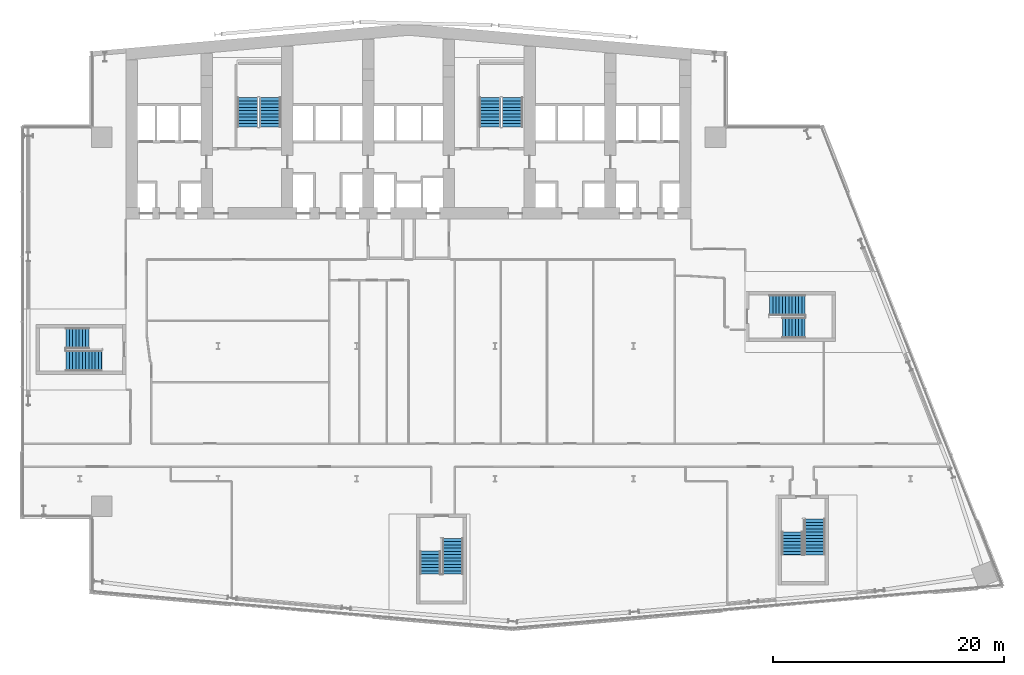
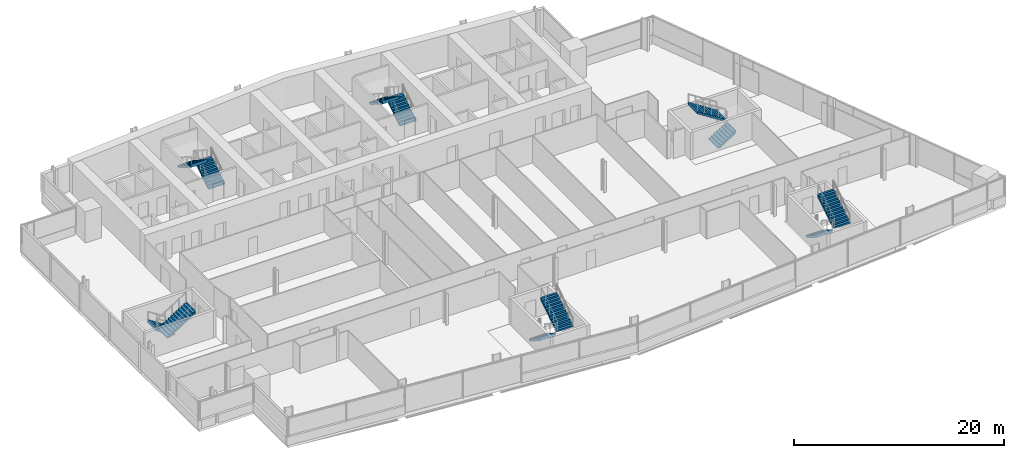
# One storey, part 21 of 25: 12 stair flights, 6 elements without a shape of their own.
"""IFC4 building model written with IfcOpenShell, lengths in metres."""

from ifc_helpers import new_model, si_unit, direction, frame, origin, place, context, subcontext, project, spatial, polyline, outline, extrude, material, type_object, element, aggregate, save


model = new_model("IFC4")

# Units and contexts
model_context = context("Model", 3, precision=1e-05, world=origin(), true_north=direction((0.0, 1.0)))
body_context = subcontext(model_context, "Body", "Model", "MODEL_VIEW")
ifc_project = project(units=[si_unit("LENGTHUNIT", "METRE"), si_unit("AREAUNIT", "SQUARE_METRE"), si_unit("VOLUMEUNIT", "CUBIC_METRE"), si_unit("PLANEANGLEUNIT", "RADIAN"), si_unit("MASSUNIT", "GRAM", prefix="KILO")], contexts=[model_context])

# Site, building, storey
site_placement = place(None, origin())
site = spatial("IfcSite", under=ifc_project, at=site_placement, CompositionType="ELEMENT")
building_placement = place(site_placement, origin())
building = spatial("IfcBuilding", under=site, at=building_placement, Name="Wharfspan Tower", CompositionType="ELEMENT")
storey_placement = place(building_placement, frame((0.0, 0.0, 143.5)))
storey = spatial("IfcBuildingStorey", under=building, at=storey_placement, Name="L34", CompositionType="ELEMENT", Elevation=143.5)

# Stair, stair flights
ifc_material = material(Name="Concrete C40/50", Category="concrete")
stair_type = type_object("IfcStairType", Name="Half-turn stair 20 risers 180 mm", PredefinedType="HALF_TURN_STAIR", material=ifc_material)
stair_1_placement = place(storey_placement, origin())
stair_1 = element("IfcStair", 1, at=stair_1_placement, inside=storey, type_object=stair_type, Name="L34 stair ST1", PredefinedType="HALF_TURN_STAIR")
stair_flight_type = type_object("IfcStairFlightType", Name="Stair flight 20 risers 180 mm", PredefinedType="STRAIGHT", material=ifc_material)
stair_flight_1_placement = place(storey_placement, frame((28.5, 42.0, 0.0), z_axis=(0.0, 0.0, 1.0), x_axis=(0.0, 1.0, 0.0)))
stair_flight_1 = element("IfcStairFlight", 2, at=stair_flight_1_placement, type_object=stair_flight_type, Name="ST1 flight 1", NumberOfRisers=10, NumberOfTreads=9, PredefinedType="STRAIGHT", RiserHeight=0.18, TreadLength=0.28, context=body_context, shape_type="SweptSolid", body=[
    extrude(outline(polyline([(-0.011963, 0.0), (-0.011963, 0.179932), (0.0, 0.179932), (0.280029, 0.179932), (0.280029, 0.360107), (0.560059, 0.360107), (0.560059, 0.540039), (0.840088, 0.540039), (0.840088, 0.719971), (1.120117, 0.719971), (1.120117, 0.899902), (1.399902, 0.899902), (1.399902, 1.080078), (1.679932, 1.080078), (1.679932, 1.26001), (1.959961, 1.26001), (1.959961, 1.439941), (2.23999, 1.439941), (2.23999, 1.620117), (2.52002, 1.620117), (2.531982, 1.800049), (2.531982, 1.441895), (0.2771, 0.0), (-0.011963, 0.0)])), frame((0.0, 0.899902, 0.0), z_axis=(0.0, -1.0, 0.0), x_axis=(1.0, 0.0, 0.0)), (0.0, 0.0, 1.0), 0.899414),
    extrude(outline(polyline([(-0.011963, 0.0), (-0.011963, 0.179932), (0.0, 0.179932), (0.280029, 0.179932), (0.280029, 0.360107), (0.560059, 0.360107), (0.560059, 0.540039), (0.840088, 0.540039), (0.840088, 0.719971), (1.120117, 0.719971), (1.120117, 0.899902), (1.399902, 0.899902), (1.399902, 1.080078), (1.679932, 1.080078), (1.679932, 1.26001), (1.959961, 1.26001), (1.959961, 1.439941), (2.23999, 1.439941), (2.23999, 1.620117), (2.52002, 1.620117), (2.531982, 1.800049), (2.531982, 1.441895), (0.2771, 0.0), (-0.011963, 0.0)])), frame((0.0, -0.000488, 0.0), z_axis=(0.0, -1.0, 0.0), x_axis=(1.0, 0.0, 0.0)), (0.0, 0.0, 1.0), 0.899414),
])
stair_flight_2_placement = place(storey_placement, frame((26.550049, 44.52002, 1.800049), z_axis=(0.0, 0.0, 1.0), x_axis=(0.0, -1.0, 0.0)))
stair_flight_2 = element("IfcStairFlight", 3, at=stair_flight_2_placement, type_object=stair_flight_type, Name="ST1 flight 2", NumberOfRisers=10, NumberOfTreads=9, PredefinedType="STRAIGHT", RiserHeight=0.18, TreadLength=0.28, context=body_context, shape_type="SweptSolid", body=[
    extrude(outline(polyline([(-0.011963, 0.0), (-0.011963, 0.179932), (0.0, 0.179932), (0.280029, 0.179932), (0.280029, 0.360107), (0.560059, 0.360107), (0.560059, 0.540039), (0.840088, 0.540039), (0.840088, 0.719971), (1.120117, 0.719971), (1.120117, 0.899902), (1.399902, 0.899902), (1.399902, 1.080078), (1.679932, 1.080078), (1.679932, 1.26001), (1.959961, 1.26001), (1.959961, 1.439941), (2.23999, 1.439941), (2.23999, 1.620117), (2.52002, 1.620117), (2.531982, 1.800049), (2.531982, 1.441895), (0.2771, 0.0), (-0.011963, 0.0)])), frame((0.0, 0.899902, 0.0), z_axis=(0.0, -1.0, 0.0), x_axis=(1.0, 0.0, 0.0)), (0.0, 0.0, 1.0), 0.899414),
    extrude(outline(polyline([(-0.011963, 0.0), (-0.011963, 0.179932), (0.0, 0.179932), (0.280029, 0.179932), (0.280029, 0.360107), (0.560059, 0.360107), (0.560059, 0.540039), (0.840088, 0.540039), (0.840088, 0.719971), (1.120117, 0.719971), (1.120117, 0.899902), (1.399902, 0.899902), (1.399902, 1.080078), (1.679932, 1.080078), (1.679932, 1.26001), (1.959961, 1.26001), (1.959961, 1.439941), (2.23999, 1.439941), (2.23999, 1.620117), (2.52002, 1.620117), (2.531982, 1.800049), (2.531982, 1.441895), (0.2771, 0.0), (-0.011963, 0.0)])), frame((0.0, -0.000488, 0.0), z_axis=(0.0, -1.0, 0.0), x_axis=(1.0, 0.0, 0.0)), (0.0, 0.0, 1.0), 0.899414),
])
aggregate(stair_1, [stair_flight_1, stair_flight_2])

stair_2_placement = place(storey_placement, origin())
stair_2 = element("IfcStair", 4, at=stair_2_placement, inside=storey, type_object=stair_type, Name="L34 stair ST2", PredefinedType="HALF_TURN_STAIR")
stair_flight_3_placement = place(storey_placement, frame((49.5, 42.0, 0.0), z_axis=(0.0, 0.0, 1.0), x_axis=(0.0, 1.0, 0.0)))
stair_flight_3 = element("IfcStairFlight", 5, at=stair_flight_3_placement, type_object=stair_flight_type, Name="ST2 flight 1", NumberOfRisers=10, NumberOfTreads=9, PredefinedType="STRAIGHT", RiserHeight=0.18, TreadLength=0.28, context=body_context, shape_type="SweptSolid", body=[
    extrude(outline(polyline([(-0.011963, 0.0), (-0.011963, 0.179932), (0.0, 0.179932), (0.280029, 0.179932), (0.280029, 0.360107), (0.560059, 0.360107), (0.560059, 0.540039), (0.840088, 0.540039), (0.840088, 0.719971), (1.120117, 0.719971), (1.120117, 0.899902), (1.399902, 0.899902), (1.399902, 1.080078), (1.679932, 1.080078), (1.679932, 1.26001), (1.959961, 1.26001), (1.959961, 1.439941), (2.23999, 1.439941), (2.23999, 1.620117), (2.52002, 1.620117), (2.531982, 1.800049), (2.531982, 1.441895), (0.2771, 0.0), (-0.011963, 0.0)])), frame((0.0, 0.899902, 0.0), z_axis=(0.0, -1.0, 0.0), x_axis=(1.0, 0.0, 0.0)), (0.0, 0.0, 1.0), 0.899414),
    extrude(outline(polyline([(-0.011963, 0.0), (-0.011963, 0.179932), (0.0, 0.179932), (0.280029, 0.179932), (0.280029, 0.360107), (0.560059, 0.360107), (0.560059, 0.540039), (0.840088, 0.540039), (0.840088, 0.719971), (1.120117, 0.719971), (1.120117, 0.899902), (1.399902, 0.899902), (1.399902, 1.080078), (1.679932, 1.080078), (1.679932, 1.26001), (1.959961, 1.26001), (1.959961, 1.439941), (2.23999, 1.439941), (2.23999, 1.620117), (2.52002, 1.620117), (2.531982, 1.800049), (2.531982, 1.441895), (0.2771, 0.0), (-0.011963, 0.0)])), frame((0.0, -0.000488, 0.0), z_axis=(0.0, -1.0, 0.0), x_axis=(1.0, 0.0, 0.0)), (0.0, 0.0, 1.0), 0.899414),
])
stair_flight_4_placement = place(storey_placement, frame((47.550049, 44.52002, 1.800049), z_axis=(0.0, 0.0, 1.0), x_axis=(0.0, -1.0, 0.0)))
stair_flight_4 = element("IfcStairFlight", 6, at=stair_flight_4_placement, type_object=stair_flight_type, Name="ST2 flight 2", NumberOfRisers=10, NumberOfTreads=9, PredefinedType="STRAIGHT", RiserHeight=0.18, TreadLength=0.28, context=body_context, shape_type="SweptSolid", body=[
    extrude(outline(polyline([(-0.011963, 0.0), (-0.011963, 0.179932), (0.0, 0.179932), (0.280029, 0.179932), (0.280029, 0.360107), (0.560059, 0.360107), (0.560059, 0.540039), (0.840088, 0.540039), (0.840088, 0.719971), (1.120117, 0.719971), (1.120117, 0.899902), (1.399902, 0.899902), (1.399902, 1.080078), (1.679932, 1.080078), (1.679932, 1.26001), (1.959961, 1.26001), (1.959961, 1.439941), (2.23999, 1.439941), (2.23999, 1.620117), (2.52002, 1.620117), (2.531982, 1.800049), (2.531982, 1.441895), (0.2771, 0.0), (-0.011963, 0.0)])), frame((0.0, 0.899902, 0.0), z_axis=(0.0, -1.0, 0.0), x_axis=(1.0, 0.0, 0.0)), (0.0, 0.0, 1.0), 0.899414),
    extrude(outline(polyline([(-0.011963, 0.0), (-0.011963, 0.179932), (0.0, 0.179932), (0.280029, 0.179932), (0.280029, 0.360107), (0.560059, 0.360107), (0.560059, 0.540039), (0.840088, 0.540039), (0.840088, 0.719971), (1.120117, 0.719971), (1.120117, 0.899902), (1.399902, 0.899902), (1.399902, 1.080078), (1.679932, 1.080078), (1.679932, 1.26001), (1.959961, 1.26001), (1.959961, 1.439941), (2.23999, 1.439941), (2.23999, 1.620117), (2.52002, 1.620117), (2.531982, 1.800049), (2.531982, 1.441895), (0.2771, 0.0), (-0.011963, 0.0)])), frame((0.0, -0.000488, 0.0), z_axis=(0.0, -1.0, 0.0), x_axis=(1.0, 0.0, 0.0)), (0.0, 0.0, 1.0), 0.899414),
])
aggregate(stair_2, [stair_flight_3, stair_flight_4])

stair_3_placement = place(storey_placement, origin())
stair_3 = element("IfcStair", 7, at=stair_3_placement, inside=storey, type_object=stair_type, Name="L34 stair ST3", PredefinedType="HALF_TURN_STAIR")
stair_flight_5_placement = place(storey_placement, frame((12.780029, 23.675049, 0.0), z_axis=(0.0, 0.0, 1.0), x_axis=(-1.0, 0.0, 0.0)))
stair_flight_5 = element("IfcStairFlight", 8, at=stair_flight_5_placement, type_object=stair_flight_type, Name="ST3 flight 1", NumberOfRisers=8, NumberOfTreads=7, PredefinedType="STRAIGHT", RiserHeight=0.18, TreadLength=0.28, context=body_context, shape_type="SweptSolid", body=[
    extrude(outline(polyline([(-0.011963, 0.0), (-0.011963, 0.179932), (0.0, 0.179932), (0.280029, 0.179932), (0.280029, 0.360107), (0.560059, 0.360107), (0.560059, 0.540039), (0.840088, 0.540039), (0.840088, 0.719971), (1.120117, 0.719971), (1.120117, 0.899902), (1.399902, 0.899902), (1.399902, 1.080078), (1.679932, 1.080078), (1.679932, 1.26001), (1.959961, 1.26001), (1.971924, 1.439941), (1.971924, 1.081787), (0.2771, 0.0), (-0.011963, 0.0)])), frame((0.0, 0.899902, 0.0), z_axis=(0.0, -1.0, 0.0), x_axis=(1.0, 0.0, 0.0)), (0.0, 0.0, 1.0), 0.899414),
    extrude(outline(polyline([(-0.011963, 0.0), (-0.011963, 0.179932), (0.0, 0.179932), (0.280029, 0.179932), (0.280029, 0.360107), (0.560059, 0.360107), (0.560059, 0.540039), (0.840088, 0.540039), (0.840088, 0.719971), (1.120117, 0.719971), (1.120117, 0.899902), (1.399902, 0.899902), (1.399902, 1.080078), (1.679932, 1.080078), (1.679932, 1.26001), (1.959961, 1.26001), (1.971924, 1.439941), (1.971924, 1.081787), (0.2771, 0.0), (-0.011963, 0.0)])), frame((0.0, -0.000488, 0.0), z_axis=(0.0, -1.0, 0.0), x_axis=(1.0, 0.0, 0.0)), (0.0, 0.0, 1.0), 0.899414),
])
stair_flight_6_placement = place(storey_placement, frame((10.820068, 21.725098, 1.439941), z_axis=(0.0, 0.0, 1.0), x_axis=(1.0, 0.0, 0.0)))
stair_flight_6 = element("IfcStairFlight", 9, at=stair_flight_6_placement, type_object=stair_flight_type, Name="ST3 flight 2", NumberOfRisers=12, NumberOfTreads=11, PredefinedType="STRAIGHT", RiserHeight=0.18, TreadLength=0.28, context=body_context, shape_type="SweptSolid", body=[
    extrude(outline(polyline([(-0.011963, 0.0), (-0.011963, 0.179932), (0.0, 0.179932), (0.280029, 0.179932), (0.280029, 0.360107), (0.560059, 0.360107), (0.560059, 0.540039), (0.840088, 0.540039), (0.840088, 0.719971), (1.120117, 0.719971), (1.120117, 0.899902), (1.399902, 0.899902), (1.399902, 1.080078), (1.679932, 1.080078), (1.679932, 1.26001), (1.959961, 1.26001), (1.959961, 1.439941), (2.23999, 1.439941), (2.23999, 1.620117), (2.52002, 1.620117), (2.52002, 1.800049), (2.800049, 1.800049), (2.800049, 1.97998), (3.080078, 1.97998), (3.092041, 2.159912), (3.092041, 1.801758), (0.2771, 0.0), (-0.011963, 0.0)])), frame((0.0, 0.899902, 0.0), z_axis=(0.0, -1.0, 0.0), x_axis=(1.0, 0.0, 0.0)), (0.0, 0.0, 1.0), 1.800049),
])
aggregate(stair_3, [stair_flight_5, stair_flight_6])

stair_4_placement = place(storey_placement, origin())
stair_4 = element("IfcStair", 10, at=stair_4_placement, inside=storey, type_object=stair_type, Name="L34 stair ST4", PredefinedType="HALF_TURN_STAIR")
stair_flight_7_placement = place(storey_placement, frame((42.385254, 5.197021, 0.0), z_axis=(0.0, 0.0, 1.0), x_axis=(0.0, -1.0, 0.0)))
stair_flight_7 = element("IfcStairFlight", 11, at=stair_flight_7_placement, type_object=stair_flight_type, Name="ST4 flight 1", NumberOfRisers=8, NumberOfTreads=7, PredefinedType="STRAIGHT", RiserHeight=0.18, TreadLength=0.28, context=body_context, shape_type="SweptSolid", body=[
    extrude(outline(polyline([(-0.011963, 0.0), (-0.011963, 0.179932), (0.0, 0.179932), (0.280029, 0.179932), (0.280029, 0.360107), (0.560059, 0.360107), (0.560059, 0.540039), (0.840088, 0.540039), (0.840088, 0.719971), (1.120117, 0.719971), (1.120117, 0.899902), (1.399902, 0.899902), (1.399902, 1.080078), (1.679932, 1.080078), (1.679932, 1.26001), (1.959961, 1.26001), (1.971924, 1.439941), (1.971924, 1.081787), (0.2771, 0.0), (-0.011963, 0.0)])), frame((0.0, 0.899902, 0.0), z_axis=(0.0, -1.0, 0.0), x_axis=(1.0, 0.0, 0.0)), (0.0, 0.0, 1.0), 0.899414),
    extrude(outline(polyline([(-0.011963, 0.0), (-0.011963, 0.179932), (0.0, 0.179932), (0.280029, 0.179932), (0.280029, 0.360107), (0.560059, 0.360107), (0.560059, 0.540039), (0.840088, 0.540039), (0.840088, 0.719971), (1.120117, 0.719971), (1.120117, 0.899902), (1.399902, 0.899902), (1.399902, 1.080078), (1.679932, 1.080078), (1.679932, 1.26001), (1.959961, 1.26001), (1.971924, 1.439941), (1.971924, 1.081787), (0.2771, 0.0), (-0.011963, 0.0)])), frame((0.0, -0.000488, 0.0), z_axis=(0.0, -1.0, 0.0), x_axis=(1.0, 0.0, 0.0)), (0.0, 0.0, 1.0), 0.899414),
])
stair_flight_8_placement = place(storey_placement, frame((44.335205, 3.237061, 1.439941), z_axis=(0.0, 0.0, 1.0), x_axis=(0.0, 1.0, 0.0)))
stair_flight_8 = element("IfcStairFlight", 12, at=stair_flight_8_placement, type_object=stair_flight_type, Name="ST4 flight 2", NumberOfRisers=12, NumberOfTreads=11, PredefinedType="STRAIGHT", RiserHeight=0.18, TreadLength=0.28, context=body_context, shape_type="SweptSolid", body=[
    extrude(outline(polyline([(-0.011963, 0.0), (-0.011963, 0.179932), (0.0, 0.179932), (0.280029, 0.179932), (0.280029, 0.360107), (0.560059, 0.360107), (0.560059, 0.540039), (0.840088, 0.540039), (0.840088, 0.719971), (1.120117, 0.719971), (1.120117, 0.899902), (1.399902, 0.899902), (1.399902, 1.080078), (1.679932, 1.080078), (1.679932, 1.26001), (1.959961, 1.26001), (1.959961, 1.439941), (2.23999, 1.439941), (2.23999, 1.620117), (2.52002, 1.620117), (2.52002, 1.800049), (2.800049, 1.800049), (2.800049, 1.97998), (3.080078, 1.97998), (3.092041, 2.159912), (3.092041, 1.801758), (0.2771, 0.0), (-0.011963, 0.0)])), frame((0.0, 0.899902, 0.0), z_axis=(0.0, -1.0, 0.0), x_axis=(1.0, 0.0, 0.0)), (0.0, 0.0, 1.0), 1.800049),
])
aggregate(stair_4, [stair_flight_7, stair_flight_8])

stair_5_placement = place(storey_placement, origin())
stair_5 = element("IfcStair", 13, at=stair_5_placement, inside=storey, type_object=stair_type, Name="L34 stair ST5", PredefinedType="HALF_TURN_STAIR")
stair_flight_9_placement = place(storey_placement, frame((73.740967, 6.874756, 0.0), z_axis=(0.0, 0.0, 1.0), x_axis=(0.0, -1.0, 0.0)))
stair_flight_9 = element("IfcStairFlight", 14, at=stair_flight_9_placement, type_object=stair_flight_type, Name="ST5 flight 1", NumberOfRisers=8, NumberOfTreads=7, PredefinedType="STRAIGHT", RiserHeight=0.18, TreadLength=0.28, context=body_context, shape_type="SweptSolid", body=[
    extrude(outline(polyline([(-0.011963, 0.0), (-0.011963, 0.179932), (0.0, 0.179932), (0.280029, 0.179932), (0.280029, 0.360107), (0.560059, 0.360107), (0.560059, 0.540039), (0.840088, 0.540039), (0.840088, 0.719971), (1.120117, 0.719971), (1.120117, 0.899902), (1.399902, 0.899902), (1.399902, 1.080078), (1.679932, 1.080078), (1.679932, 1.26001), (1.959961, 1.26001), (1.971924, 1.439941), (1.971924, 1.081787), (0.2771, 0.0), (-0.011963, 0.0)])), frame((0.0, 0.899902, 0.0), z_axis=(0.0, -1.0, 0.0), x_axis=(1.0, 0.0, 0.0)), (0.0, 0.0, 1.0), 0.899414),
    extrude(outline(polyline([(-0.011963, 0.0), (-0.011963, 0.179932), (0.0, 0.179932), (0.280029, 0.179932), (0.280029, 0.360107), (0.560059, 0.360107), (0.560059, 0.540039), (0.840088, 0.540039), (0.840088, 0.719971), (1.120117, 0.719971), (1.120117, 0.899902), (1.399902, 0.899902), (1.399902, 1.080078), (1.679932, 1.080078), (1.679932, 1.26001), (1.959961, 1.26001), (1.971924, 1.439941), (1.971924, 1.081787), (0.2771, 0.0), (-0.011963, 0.0)])), frame((0.0, -0.000488, 0.0), z_axis=(0.0, -1.0, 0.0), x_axis=(1.0, 0.0, 0.0)), (0.0, 0.0, 1.0), 0.899414),
])
stair_flight_10_placement = place(storey_placement, frame((75.690918, 4.914551, 1.439941), z_axis=(0.0, 0.0, 1.0), x_axis=(0.0, 1.0, 0.0)))
stair_flight_10 = element("IfcStairFlight", 15, at=stair_flight_10_placement, type_object=stair_flight_type, Name="ST5 flight 2", NumberOfRisers=12, NumberOfTreads=11, PredefinedType="STRAIGHT", RiserHeight=0.18, TreadLength=0.28, context=body_context, shape_type="SweptSolid", body=[
    extrude(outline(polyline([(-0.011963, 0.0), (-0.011963, 0.179932), (0.0, 0.179932), (0.280029, 0.179932), (0.280029, 0.360107), (0.560059, 0.360107), (0.560059, 0.540039), (0.840088, 0.540039), (0.840088, 0.719971), (1.120117, 0.719971), (1.120117, 0.899902), (1.399902, 0.899902), (1.399902, 1.080078), (1.679932, 1.080078), (1.679932, 1.26001), (1.959961, 1.26001), (1.959961, 1.439941), (2.23999, 1.439941), (2.23999, 1.620117), (2.52002, 1.620117), (2.52002, 1.800049), (2.800049, 1.800049), (2.800049, 1.97998), (3.080078, 1.97998), (3.092041, 2.159912), (3.092041, 1.801758), (0.2771, 0.0), (-0.011963, 0.0)])), frame((0.0, 0.899902, 0.0), z_axis=(0.0, -1.0, 0.0), x_axis=(1.0, 0.0, 0.0)), (0.0, 0.0, 1.0), 1.800049),
])
aggregate(stair_5, [stair_flight_9, stair_flight_10])

stair_6_placement = place(storey_placement, origin())
stair_6 = element("IfcStair", 16, at=stair_6_placement, inside=storey, type_object=stair_type, Name="L34 stair ST6", PredefinedType="HALF_TURN_STAIR")
stair_flight_11_placement = place(storey_placement, frame((72.9104, 24.574951, 0.0), z_axis=(0.0, 0.0, 1.0), x_axis=(1.0, 0.0, 0.0)))
stair_flight_11 = element("IfcStairFlight", 17, at=stair_flight_11_placement, type_object=stair_flight_type, Name="ST6 flight 1", NumberOfRisers=8, NumberOfTreads=7, PredefinedType="STRAIGHT", RiserHeight=0.18, TreadLength=0.28, context=body_context, shape_type="SweptSolid", body=[
    extrude(outline(polyline([(-0.011963, 0.0), (-0.011963, 0.179932), (0.0, 0.179932), (0.280029, 0.179932), (0.280029, 0.360107), (0.560059, 0.360107), (0.560059, 0.540039), (0.840088, 0.540039), (0.840088, 0.719971), (1.120117, 0.719971), (1.120117, 0.899902), (1.399902, 0.899902), (1.399902, 1.080078), (1.679932, 1.080078), (1.679932, 1.26001), (1.959961, 1.26001), (1.971924, 1.439941), (1.971924, 1.081787), (0.2771, 0.0), (-0.011963, 0.0)])), frame((0.0, 0.899902, 0.0), z_axis=(0.0, -1.0, 0.0), x_axis=(1.0, 0.0, 0.0)), (0.0, 0.0, 1.0), 0.899414),
    extrude(outline(polyline([(-0.011963, 0.0), (-0.011963, 0.179932), (0.0, 0.179932), (0.280029, 0.179932), (0.280029, 0.360107), (0.560059, 0.360107), (0.560059, 0.540039), (0.840088, 0.540039), (0.840088, 0.719971), (1.120117, 0.719971), (1.120117, 0.899902), (1.399902, 0.899902), (1.399902, 1.080078), (1.679932, 1.080078), (1.679932, 1.26001), (1.959961, 1.26001), (1.971924, 1.439941), (1.971924, 1.081787), (0.2771, 0.0), (-0.011963, 0.0)])), frame((0.0, -0.000488, 0.0), z_axis=(0.0, -1.0, 0.0), x_axis=(1.0, 0.0, 0.0)), (0.0, 0.0, 1.0), 0.899414),
])
stair_flight_12_placement = place(storey_placement, frame((74.870361, 26.524902, 1.439941), z_axis=(0.0, 0.0, 1.0), x_axis=(-1.0, 0.0, 0.0)))
stair_flight_12 = element("IfcStairFlight", 18, at=stair_flight_12_placement, type_object=stair_flight_type, Name="ST6 flight 2", NumberOfRisers=12, NumberOfTreads=11, PredefinedType="STRAIGHT", RiserHeight=0.18, TreadLength=0.28, context=body_context, shape_type="SweptSolid", body=[
    extrude(outline(polyline([(-0.011963, 0.0), (-0.011963, 0.179932), (0.0, 0.179932), (0.280029, 0.179932), (0.280029, 0.360107), (0.560059, 0.360107), (0.560059, 0.540039), (0.840088, 0.540039), (0.840088, 0.719971), (1.120117, 0.719971), (1.120117, 0.899902), (1.399902, 0.899902), (1.399902, 1.080078), (1.679932, 1.080078), (1.679932, 1.26001), (1.959961, 1.26001), (1.959961, 1.439941), (2.23999, 1.439941), (2.23999, 1.620117), (2.52002, 1.620117), (2.52002, 1.800049), (2.800049, 1.800049), (2.800049, 1.97998), (3.080078, 1.97998), (3.092041, 2.159912), (3.092041, 1.801758), (0.2771, 0.0), (-0.011963, 0.0)])), frame((0.0, 0.899902, 0.0), z_axis=(0.0, -1.0, 0.0), x_axis=(1.0, 0.0, 0.0)), (0.0, 0.0, 1.0), 1.800049),
])
aggregate(stair_6, [stair_flight_11, stair_flight_12])

save(model, "model.ifc")
